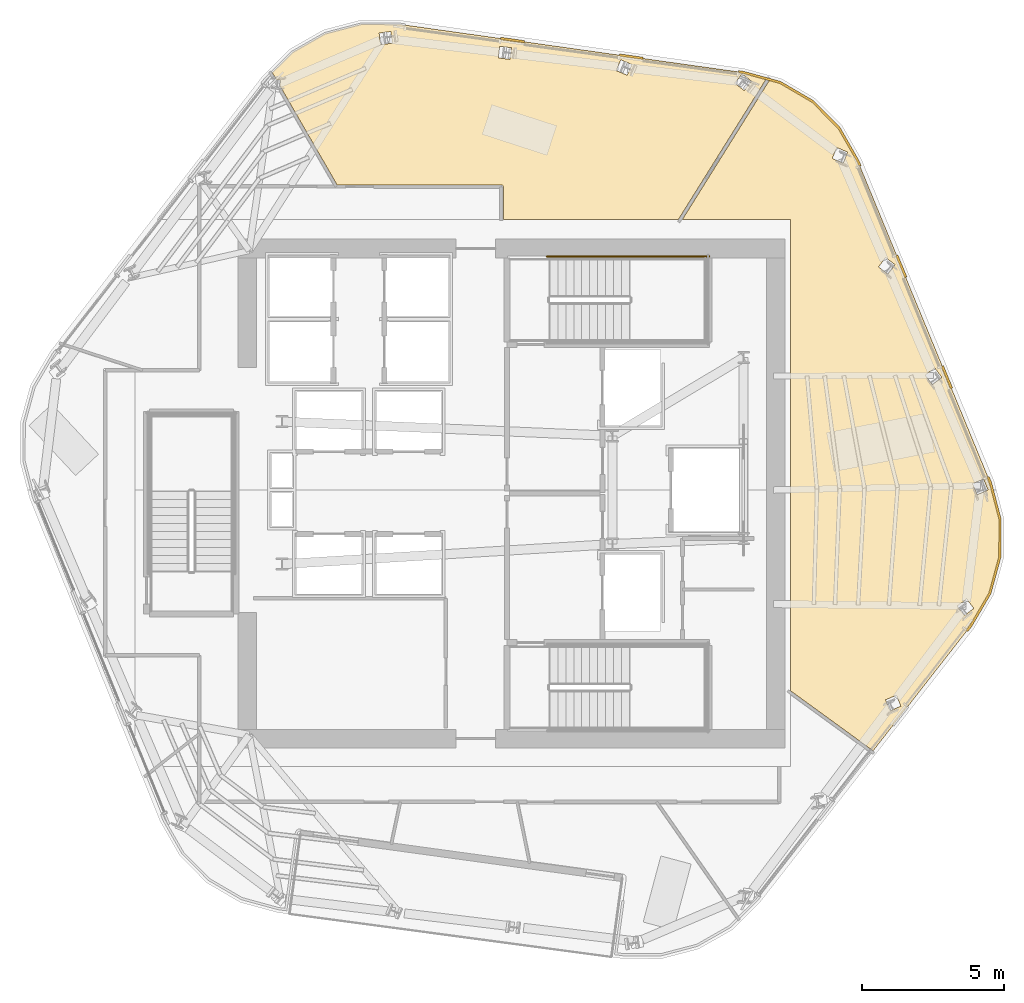
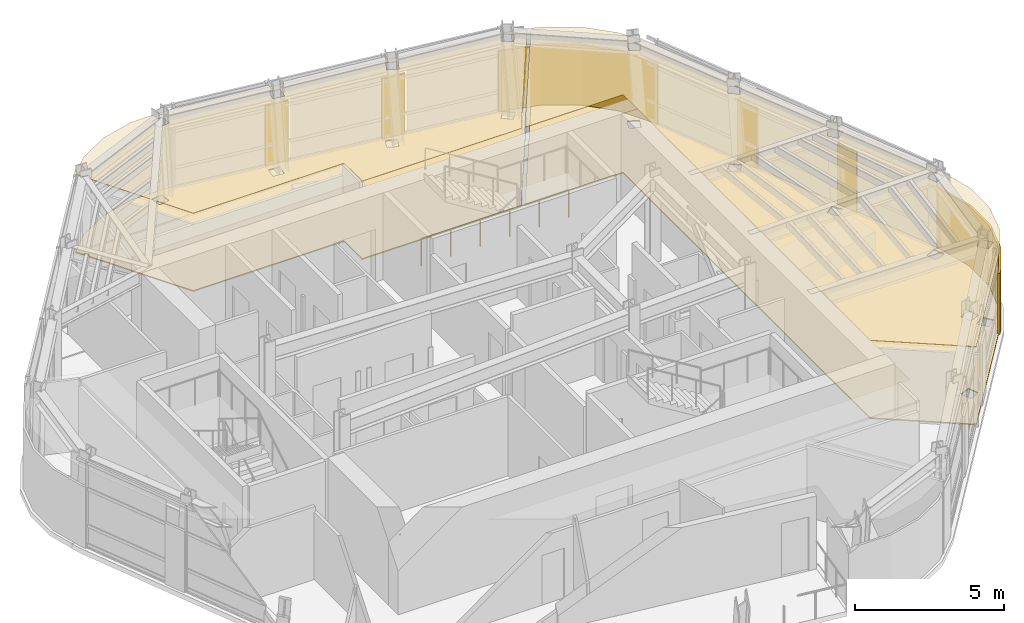
# One storey, part 11 of 12: 10 coverings, 1 railing.
"""IFC4 building model written with IfcOpenShell, lengths in metres."""

from ifc_helpers import new_model, si_unit, direction, frame, origin, origin_2d, place, context, subcontext, project, spatial, polyline, circle, outline, extrude, material, layer, layer_set, type_object, element, save


model = new_model("IFC4")

# Units and contexts
model_context = context("Model", 3, precision=1e-05, world=origin(), true_north=direction((0.0, 1.0)))
body_context = subcontext(model_context, "Body", "Model", "MODEL_VIEW")
ifc_project = project(units=[si_unit("LENGTHUNIT", "METRE"), si_unit("AREAUNIT", "SQUARE_METRE"), si_unit("VOLUMEUNIT", "CUBIC_METRE"), si_unit("PLANEANGLEUNIT", "RADIAN"), si_unit("MASSUNIT", "GRAM", prefix="KILO")], contexts=[model_context])

# Site, building, storey
site_placement = place(None, origin())
site = spatial("IfcSite", under=ifc_project, at=site_placement, CompositionType="ELEMENT")
building_placement = place(site_placement, origin())
building = spatial("IfcBuilding", under=site, at=building_placement, Name="Valkerne Bourse Tower", CompositionType="ELEMENT")
storey_placement = place(building_placement, frame((0.0, 0.0, 247.39990234375)))
storey = spatial("IfcBuildingStorey", under=building, at=storey_placement, Name="L63", CompositionType="ELEMENT", Elevation=247.39990234375)

# Coverings
ifc_material_1 = material(Name="Mineral Fiber Acoustic Ceiling Tile", Category="acoustic")
ifc_layer_1 = layer(ifc_material_1, 0.02490234375)
ifc_layer_set_1 = layer_set([ifc_layer_1], Name="Mineral Fiber Acoustic Ceiling Tile")
covering_type_1 = type_object("IfcCoveringType", Name="COV-CEIL-ACT", PredefinedType="CEILING", material=ifc_layer_set_1)
covering_1_placement = place(storey_placement, frame((0.0, 0.0, 3.190185546875)))
element("IfcCovering", 1, at=covering_1_placement, inside=storey, type_object=covering_type_1, Name="L63 Suspended Ceiling 09", PredefinedType="CEILING", context=body_context, shape_type="SweptSolid", body=[
    extrude(outline(polyline([(41.540771484375, 43.349609375), (42.86962890625, 43.3427734375), (54.951416015625, 41.64697265625), (55.746826171875, 41.42919921875), (52.666748046875, 36.5), (46.51904296875, 36.5), (46.518798828125, 37.6435546875), (46.501708984375, 37.68603515625), (46.46630859375, 37.707275390625), (40.685302734375, 37.708984375), (38.680419921875, 41.181640625), (38.70654296875, 41.376220703125), (38.55615234375, 41.396484375), (38.40625, 41.656494140625), (39.118408203125, 42.361083984375), (40.264404296875, 43.014892578125), (41.540771484375, 43.349609375)]), holes=[polyline([(46.7529296875, 42.111572265625), (46.804931640625, 42.52001953125), (46.394775390625, 42.572509765625), (46.392578125, 42.572509765625), (46.34033203125, 42.1640625), (46.750732421875, 42.111572265625), (46.7529296875, 42.111572265625)]), polyline([(42.62548828125, 42.680908203125), (42.572021484375, 43.08935546875), (42.162109375, 43.0361328125), (42.15966796875, 43.035400390625), (42.213134765625, 42.627197265625), (42.623046875, 42.680419921875), (42.62548828125, 42.680908203125)]), polyline([(54.896484375, 41.598388671875), (54.894287109375, 41.599609375), (54.642578125, 41.273681640625), (54.969482421875, 41.020751953125), (54.9716796875, 41.01953125), (55.223388671875, 41.345458984375), (54.896484375, 41.598388671875)]), polyline([(51.02490234375, 41.93408203125), (50.644287109375, 42.09619140625), (50.64208984375, 42.0966796875), (50.48095703125, 41.717529296875), (50.861572265625, 41.5556640625), (50.863525390625, 41.554931640625), (51.02490234375, 41.93408203125)])]), origin(), (0.0, 0.0, 1.0), 0.02490234375),
])
covering_2_placement = place(storey_placement, frame((0.0, 0.0, 3.190185546875)))
element("IfcCovering", 2, at=covering_2_placement, inside=storey, type_object=covering_type_1, Name="L63 Suspended Ceiling 10", PredefinedType="CEILING", context=body_context, shape_type="SweptSolid", body=[
    extrude(outline(polyline([(58.301025390625, 39.6923828125), (58.959716796875, 38.537841796875), (63.606689453125, 27.25732421875), (63.94384765625, 25.97216796875), (63.93701171875, 24.652587890625), (63.5888671875, 23.3798828125), (62.91845703125, 22.232421875), (59.4951171875, 17.849365234375), (56.60009765625, 19.952880859375), (56.60009765625, 36.5), (52.805908203125, 36.5), (55.86572265625, 41.396728515625), (56.2333984375, 41.296142578125), (57.372802734375, 40.63037109375), (58.301025390625, 39.6923828125)]), holes=[polyline([(60.470703125, 19.415283203125), (60.310302734375, 19.797119140625), (59.930908203125, 19.638427734375), (59.9296875, 19.636474609375), (60.090087890625, 19.254638671875), (60.4697265625, 19.413330078125), (60.470703125, 19.415283203125)]), polyline([(63.027099609375, 22.849609375), (62.775390625, 23.177978515625), (62.4482421875, 22.9287109375), (62.44775390625, 22.92626953125), (62.69970703125, 22.59765625), (63.026611328125, 22.84716796875), (63.027099609375, 22.849609375)]), polyline([(63.52880859375, 27.000732421875), (63.37255859375, 27.381103515625), (62.989013671875, 27.224365234375), (62.989013671875, 27.221923828125), (63.1455078125, 26.841552734375), (63.52880859375, 26.99853515625), (63.52880859375, 27.000732421875)]), polyline([(61.905029296875, 30.950927734375), (61.65771484375, 31.279296875), (61.326416015625, 31.030517578125), (61.326904296875, 31.0283203125), (61.574462890625, 30.699951171875), (61.905517578125, 30.94873046875), (61.905029296875, 30.950927734375)]), polyline([(60.26171875, 34.9091796875), (59.934326171875, 35.157958984375), (59.68310546875, 34.82861328125), (59.684326171875, 34.82666015625), (60.01171875, 34.577880859375), (60.2626953125, 34.9072265625), (60.26171875, 34.9091796875)]), polyline([(58.598388671875, 38.859619140625), (58.21875, 39.016845703125), (58.0595703125, 38.634521484375), (58.061279296875, 38.6328125), (58.44091796875, 38.475341796875), (58.60009765625, 38.85791015625), (58.598388671875, 38.859619140625)])]), origin(), (0.0, 0.0, 1.0), 0.02490234375),
])
ifc_material_2 = material(Name="Bronze Anodised Aluminium AA 6063-T6", Category="aluminium")
ifc_layer_2 = layer(ifc_material_2, 0.06005859375)
ifc_layer_set_2 = layer_set([ifc_layer_2], Name="Bronze Anodised Aluminium AA 6063-T6")
covering_type_2 = type_object("IfcCoveringType", Name="COV-CRN-ALUM", PredefinedType="CLADDING", material=ifc_layer_set_2)
covering_3_placement = place(storey_placement, origin())
element("IfcCovering", 3, at=covering_3_placement, inside=storey, type_object=covering_type_2, Name="L63 Wind-Shaped Corner Aluminium Cladding 08", PredefinedType="CLADDING", context=body_context, shape_type="SweptSolid", body=[
    extrude(outline(polyline([(47.2587890625, 42.77099609375), (47.247802734375, 42.69189453125), (46.416015625, 42.80859375), (46.4267578125, 42.8876953125), (47.2587890625, 42.77099609375)])), origin(), (0.0, 0.0, 1.0), 2.5),
])
covering_4_placement = place(storey_placement, origin())
element("IfcCovering", 4, at=covering_4_placement, inside=storey, type_object=covering_type_2, Name="L63 Wind-Shaped Corner Aluminium Cladding 09", PredefinedType="CLADDING", context=body_context, shape_type="SweptSolid", body=[
    extrude(outline(polyline([(51.4296875, 42.185791015625), (51.4189453125, 42.1064453125), (50.5869140625, 42.22314453125), (50.597900390625, 42.302490234375), (51.4296875, 42.185791015625)])), origin(), (0.0, 0.0, 1.0), 2.5),
])
covering_5_placement = place(storey_placement, origin())
element("IfcCovering", 5, at=covering_5_placement, inside=storey, type_object=covering_type_2, Name="L63 Wind-Shaped Corner Aluminium Cladding 10", PredefinedType="CLADDING", context=body_context, shape_type="SweptSolid", body=[
    extrude(outline(polyline([(54.960205078125, 41.690185546875), (56.250732421875, 41.337158203125), (57.400146484375, 40.66552734375), (58.33642578125, 39.71923828125), (58.999267578125, 38.55712890625), (59.07275390625, 38.378662109375), (58.998779296875, 38.348388671875), (58.92724609375, 38.52197265625), (58.272216796875, 39.67041015625), (57.3505859375, 40.601806640625), (56.219482421875, 41.2626953125), (54.944091796875, 41.611572265625), (54.75830078125, 41.6376953125), (54.76904296875, 41.717041015625), (54.960205078125, 41.690185546875)])), origin(), (0.0, 0.0, 1.0), 2.5),
])
covering_6_placement = place(storey_placement, origin())
element("IfcCovering", 6, at=covering_6_placement, inside=storey, type_object=covering_type_2, Name="L63 Wind-Shaped Corner Aluminium Cladding 11", PredefinedType="CLADDING", context=body_context, shape_type="SweptSolid", body=[
    extrude(outline(polyline([(60.67724609375, 34.484130859375), (60.60302734375, 34.453857421875), (60.283203125, 35.230712890625), (60.357177734375, 35.2607421875), (60.67724609375, 34.484130859375)])), origin(), (0.0, 0.0, 1.0), 2.5),
])
covering_7_placement = place(storey_placement, origin())
element("IfcCovering", 7, at=covering_7_placement, inside=storey, type_object=covering_type_2, Name="L63 Wind-Shaped Corner Aluminium Cladding 12", PredefinedType="CLADDING", context=body_context, shape_type="SweptSolid", body=[
    extrude(outline(polyline([(62.281494140625, 30.589599609375), (62.20751953125, 30.559326171875), (61.887451171875, 31.336181640625), (61.961669921875, 31.3662109375), (62.281494140625, 30.589599609375)])), origin(), (0.0, 0.0, 1.0), 2.5),
])
covering_8_placement = place(storey_placement, origin())
element("IfcCovering", 8, at=covering_8_placement, inside=storey, type_object=covering_type_2, Name="L63 Wind-Shaped Corner Aluminium Cladding 13", PredefinedType="CLADDING", context=body_context, shape_type="SweptSolid", body=[
    extrude(outline(polyline([(63.6484375, 27.271484375), (63.98779296875, 25.977783203125), (63.98095703125, 24.646484375), (63.629638671875, 23.362548828125), (62.954833984375, 22.207763671875), (62.8212890625, 22.036865234375), (62.75830078125, 22.085693359375), (62.888427734375, 22.252685546875), (63.555419921875, 23.393798828125), (63.90087890625, 24.657470703125), (63.907958984375, 25.967529296875), (63.572509765625, 27.245849609375), (63.491943359375, 27.441650390625), (63.56591796875, 27.4716796875), (63.6484375, 27.271484375)])), origin(), (0.0, 0.0, 1.0), 2.5),
])
ifc_material_3 = material(Name="Galvanised Painted Steel", Category="steel")
ifc_layer_3 = layer(ifc_material_3, 0.044921875)
ifc_layer_set_3 = layer_set([ifc_layer_3], Name="Galvanised Painted Steel")
covering_type_3 = type_object("IfcCoveringType", Name="COV-FLR-RAF", PredefinedType="FLOORING", material=ifc_layer_set_3)
covering_9_placement = place(storey_placement, origin())
element("IfcCovering", 9, at=covering_9_placement, inside=storey, type_object=covering_type_3, Name="L63 Floor Finish 09", PredefinedType="FLOORING", context=body_context, shape_type="SweptSolid", body=[
    extrude(outline(polyline([(41.540771484375, 43.349609375), (42.86962890625, 43.3427734375), (54.951416015625, 41.64697265625), (55.746826171875, 41.42919921875), (52.666748046875, 36.5), (46.51904296875, 36.5), (46.518798828125, 37.6435546875), (46.501708984375, 37.68603515625), (46.46630859375, 37.707275390625), (40.685302734375, 37.708984375), (38.680419921875, 41.181640625), (38.70654296875, 41.376220703125), (38.55615234375, 41.396484375), (38.40625, 41.656494140625), (39.118408203125, 42.361083984375), (40.264404296875, 43.014892578125), (41.540771484375, 43.349609375)]), holes=[polyline([(46.7529296875, 42.111572265625), (46.804931640625, 42.52001953125), (46.394775390625, 42.572509765625), (46.392578125, 42.572509765625), (46.34033203125, 42.1640625), (46.750732421875, 42.111572265625), (46.7529296875, 42.111572265625)]), polyline([(42.62548828125, 42.680908203125), (42.572021484375, 43.08935546875), (42.162109375, 43.0361328125), (42.15966796875, 43.035400390625), (42.213134765625, 42.627197265625), (42.623046875, 42.680419921875), (42.62548828125, 42.680908203125)]), polyline([(54.896484375, 41.598388671875), (54.894287109375, 41.599609375), (54.642578125, 41.273681640625), (54.969482421875, 41.020751953125), (54.9716796875, 41.01953125), (55.223388671875, 41.345458984375), (54.896484375, 41.598388671875)]), polyline([(51.02490234375, 41.93408203125), (50.644287109375, 42.09619140625), (50.64208984375, 42.0966796875), (50.48095703125, 41.717529296875), (50.861572265625, 41.5556640625), (50.863525390625, 41.554931640625), (51.02490234375, 41.93408203125)])]), origin(), (0.0, 0.0, 1.0), 0.045166015625),
])
covering_10_placement = place(storey_placement, origin())
element("IfcCovering", 10, at=covering_10_placement, inside=storey, type_object=covering_type_3, Name="L63 Floor Finish 10", PredefinedType="FLOORING", context=body_context, shape_type="SweptSolid", body=[
    extrude(outline(polyline([(58.301025390625, 39.6923828125), (58.959716796875, 38.537841796875), (63.606689453125, 27.25732421875), (63.94384765625, 25.97216796875), (63.93701171875, 24.652587890625), (63.5888671875, 23.3798828125), (62.91845703125, 22.232421875), (59.4951171875, 17.849365234375), (56.60009765625, 19.952880859375), (56.60009765625, 36.5), (52.805908203125, 36.5), (55.86572265625, 41.396728515625), (56.2333984375, 41.296142578125), (57.372802734375, 40.63037109375), (58.301025390625, 39.6923828125)]), holes=[polyline([(60.470703125, 19.415283203125), (60.310302734375, 19.797119140625), (59.930908203125, 19.638427734375), (59.9296875, 19.636474609375), (60.090087890625, 19.254638671875), (60.4697265625, 19.413330078125), (60.470703125, 19.415283203125)]), polyline([(63.027099609375, 22.849609375), (62.775390625, 23.177978515625), (62.4482421875, 22.9287109375), (62.44775390625, 22.92626953125), (62.69970703125, 22.59765625), (63.026611328125, 22.84716796875), (63.027099609375, 22.849609375)]), polyline([(63.52880859375, 27.000732421875), (63.37255859375, 27.381103515625), (62.989013671875, 27.224365234375), (62.989013671875, 27.221923828125), (63.1455078125, 26.841552734375), (63.52880859375, 26.99853515625), (63.52880859375, 27.000732421875)]), polyline([(61.905029296875, 30.950927734375), (61.65771484375, 31.279296875), (61.326416015625, 31.030517578125), (61.326904296875, 31.0283203125), (61.574462890625, 30.699951171875), (61.905517578125, 30.94873046875), (61.905029296875, 30.950927734375)]), polyline([(60.26171875, 34.9091796875), (59.934326171875, 35.157958984375), (59.68310546875, 34.82861328125), (59.684326171875, 34.82666015625), (60.01171875, 34.577880859375), (60.2626953125, 34.9072265625), (60.26171875, 34.9091796875)]), polyline([(58.598388671875, 38.859619140625), (58.21875, 39.016845703125), (58.0595703125, 38.634521484375), (58.061279296875, 38.6328125), (58.44091796875, 38.475341796875), (58.60009765625, 38.85791015625), (58.598388671875, 38.859619140625)])]), origin(), (0.0, 0.0, 1.0), 0.045166015625),
])

# Railing
railing_type = type_object("IfcRailingType", Name="RLG-ST-GUARD-1120", PredefinedType="GUARDRAIL", material=ifc_material_3)
railing_placement = place(storey_placement, frame((48.050048828125, 35.199951171875, 0.0)))
element("IfcRailing", 11, at=railing_placement, inside=storey, type_object=railing_type, Name="L63 ST-2 stair guard 11", PredefinedType="GUARDRAIL", context=body_context, shape_type="SweptSolid", body=[
    extrude(circle(Radius=0.02392578125, at=origin_2d()), frame((0.0, 0.0, 1.09619140625), z_axis=(1.0, 0.0, 0.0), x_axis=(0.0, 1.0, 0.0)), (0.0, 0.0, 1.0), 5.699951171875),
    extrude(circle(Radius=0.02099609375, at=origin_2d()), origin(), (0.0, 0.0, 1.0), 1.072021484375),
    extrude(circle(Radius=0.02099609375, at=origin_2d()), frame((1.139892578125, 0.0, 0.0)), (0.0, 0.0, 1.0), 1.072021484375),
    extrude(circle(Radius=0.02099609375, at=origin_2d()), frame((2.280029296875, 0.0, 0.0)), (0.0, 0.0, 1.0), 1.072021484375),
    extrude(circle(Radius=0.02099609375, at=origin_2d()), frame((3.419921875, 0.0, 0.0)), (0.0, 0.0, 1.0), 1.072021484375),
    extrude(circle(Radius=0.02099609375, at=origin_2d()), frame((4.56005859375, 0.0, 0.0)), (0.0, 0.0, 1.0), 1.072021484375),
    extrude(circle(Radius=0.02099609375, at=origin_2d()), frame((5.699951171875, 0.0, 0.0)), (0.0, 0.0, 1.0), 1.072021484375),
])

save(model, "model.ifc")
